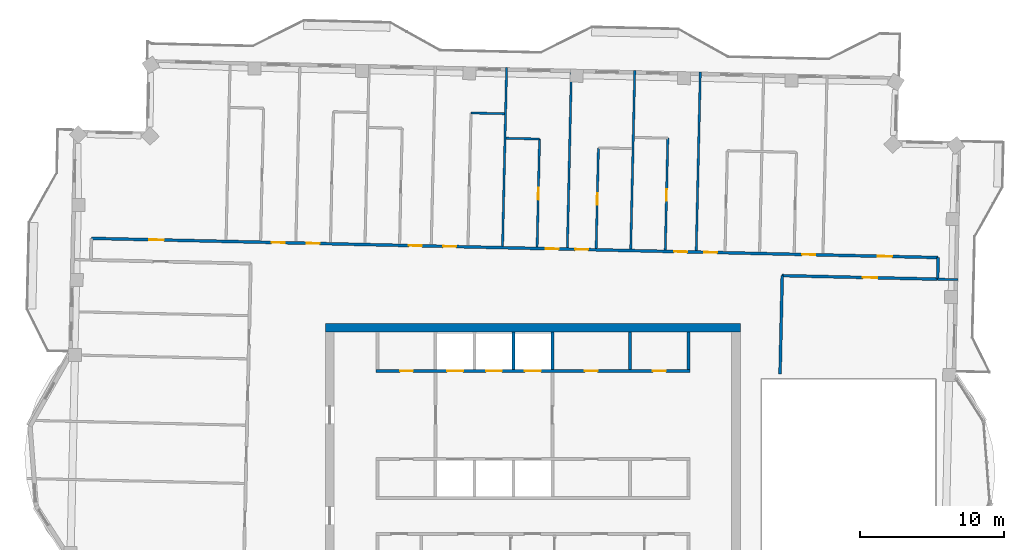
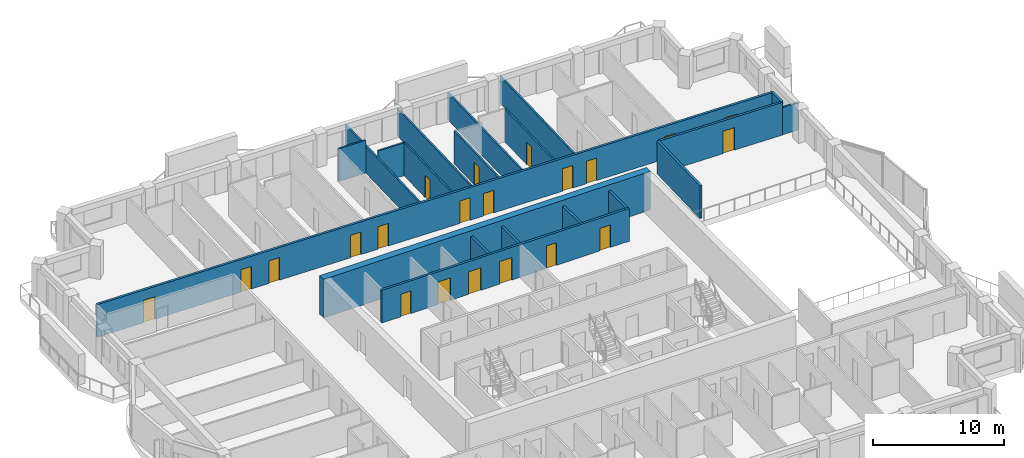
# One storey, part 9 of 15: 21 doors, 20 walls, 21 openings.
"""IFC4 building model written with IfcOpenShell, lengths in metres."""

from ifc_helpers import new_model, si_unit, direction, frame, frame_2d, origin, place, context, subcontext, project, spatial, rectangle, extrude, material, layer, layer_set, type_object, element, fill, save


model = new_model("IFC4")

# Units and contexts
model_context = context("Model", 3, precision=1e-05, world=origin(), true_north=direction((0.0, 1.0)))
body_context = subcontext(model_context, "Body", "Model", "MODEL_VIEW")
ifc_project = project(units=[si_unit("LENGTHUNIT", "METRE"), si_unit("AREAUNIT", "SQUARE_METRE"), si_unit("VOLUMEUNIT", "CUBIC_METRE"), si_unit("PLANEANGLEUNIT", "RADIAN"), si_unit("MASSUNIT", "GRAM", prefix="KILO")], contexts=[model_context])

# Site, building, storey
site_placement = place(None, origin())
site = spatial("IfcSite", under=ifc_project, at=site_placement, CompositionType="ELEMENT")
building_placement = place(site_placement, origin())
building = spatial("IfcBuilding", under=site, at=building_placement, Name="Mangrove Gate Tower", CompositionType="ELEMENT")
storey_placement = place(building_placement, frame((0.0, 0.0, 313.300048828125)))
storey = spatial("IfcBuildingStorey", under=building, at=storey_placement, Name="L80", CompositionType="ELEMENT", Elevation=313.300048828125)

# Walls
ifc_material_1 = material(Name="Concrete C32/40", Category="concrete")
ifc_layer_1 = layer(ifc_material_1, 0.199951171875)
ifc_layer_set_1 = layer_set([ifc_layer_1], Name="Core room wall 200 C32/40")
wall_type_1 = type_object("IfcWallType", Name="Core room wall 200 C32/40", PredefinedType="STANDARD", material=ifc_layer_set_1)
for number, where, z_axis, x_axis, name in (
    (1, (6.75, 8.199951171875, 0.0), (0.0, 0.0, 1.0), (0.0, 1.0, 0.0), "WALL-L80-CORE-31"),
    (2, (10.800048828125, 8.199951171875, 0.0), (0.0, 0.0, 1.0), (0.0, 1.0, 0.0), "WALL-L80-CORE-32"),
):
    element("IfcWall", number, at=place(storey_placement, frame(where, z_axis=z_axis, x_axis=x_axis)), inside=storey, type_object=wall_type_1, Name=name, PredefinedType="STANDARD", context=body_context, shape_type="SweptSolid", body=[
        extrude(rectangle(XDim=2.60009765625, YDim=0.199951171875, at=frame_2d((1.300048828125, 0.0))), origin(), (0.0, 0.0, 1.0), 3.050048828125),
    ])

# Wall, openings, doors
ifc_material_2 = material(Name="Concrete C50/60", Category="concrete")
ifc_layer_2 = layer(ifc_material_2, 0.199951171875)
ifc_layer_set_2 = layer_set([ifc_layer_2], Name="Core shaft wall 200 C50/60")
wall_type_2 = type_object("IfcWallType", Name="Core shaft wall 200 C50/60", PredefinedType="SHEAR", material=ifc_layer_set_2)
wall_1_placement = place(storey_placement, frame((-10.89990234375, 8.10009765625, 0.0), z_axis=(0.0, 0.0, 1.0), x_axis=(1.0, 0.0, 0.0)))
wall_1 = element("IfcWall", 3, at=wall_1_placement, inside=storey, type_object=wall_type_2, Name="WALL-L80-CORE-8", PredefinedType="SHEAR", context=body_context, shape_type="SweptSolid", body=[
    extrude(rectangle(XDim=21.7998046875, YDim=0.199951171875, at=frame_2d((10.89990234375, 0.0))), origin(), (0.0, 0.0, 1.0), 3.050048828125),
])
opening_1_placement = place(wall_1_placement, frame((4.949951171875, 0.0, 0.0)))
opening_1 = element("IfcOpeningElement", 4, at=opening_1_placement, cuts=wall_1, Name="Opening LD", PredefinedType="OPENING", context=body_context, shape_type="SweptSolid", body=[
    extrude(rectangle(XDim=1.10009765625, YDim=2.10009765625, at=frame_2d((0.550048828125, 1.050048828125))), frame((0.0, 0.10986328125, 0.0), z_axis=(0.0, -1.0, 0.0), x_axis=(1.0, 0.0, 0.0)), (0.0, 0.0, 1.0), 0.219970703125),
])
opening_2_placement = place(wall_1_placement, frame((7.64990234375, 0.0, 0.0)))
opening_2 = element("IfcOpeningElement", 5, at=opening_2_placement, cuts=wall_1, Name="Opening LD", PredefinedType="OPENING", context=body_context, shape_type="SweptSolid", body=[
    extrude(rectangle(XDim=1.10009765625, YDim=2.10009765625, at=frame_2d((0.550048828125, 1.050048828125))), frame((0.0, 0.10986328125, 0.0), z_axis=(0.0, -1.0, 0.0), x_axis=(1.0, 0.0, 0.0)), (0.0, 0.0, 1.0), 0.219970703125),
])
opening_3_placement = place(wall_1_placement, frame((10.35009765625, 0.0, 0.0)))
opening_3 = element("IfcOpeningElement", 6, at=opening_3_placement, cuts=wall_1, Name="Opening LD", PredefinedType="OPENING", context=body_context, shape_type="SweptSolid", body=[
    extrude(rectangle(XDim=1.10009765625, YDim=2.10009765625, at=frame_2d((0.550048828125, 1.050048828125))), frame((0.0, 0.10986328125, 0.0), z_axis=(0.0, -1.0, 0.0), x_axis=(1.0, 0.0, 0.0)), (0.0, 0.0, 1.0), 0.219970703125),
])
opening_4_placement = place(wall_1_placement, frame((1.675048828125, 0.0, 0.0)))
opening_4 = element("IfcOpeningElement", 7, at=opening_4_placement, cuts=wall_1, Name="Opening KD", PredefinedType="OPENING", context=body_context, shape_type="SweptSolid", body=[
    extrude(rectangle(XDim=0.89990234375, YDim=2.10009765625, at=frame_2d((0.449951171875, 1.050048828125))), frame((0.0, 0.10986328125, 0.0), z_axis=(0.0, -1.0, 0.0), x_axis=(1.0, 0.0, 0.0)), (0.0, 0.0, 1.0), 0.219970703125),
])
opening_5_placement = place(wall_1_placement, frame((14.5, 0.0, 0.0)))
opening_5 = element("IfcOpeningElement", 8, at=opening_5_placement, cuts=wall_1, Name="Opening RD", PredefinedType="OPENING", context=body_context, shape_type="SweptSolid", body=[
    extrude(rectangle(XDim=0.89990234375, YDim=2.10009765625, at=frame_2d((0.449951171875, 1.050048828125))), frame((0.0, 0.10986328125, 0.0), z_axis=(0.0, -1.0, 0.0), x_axis=(1.0, 0.0, 0.0)), (0.0, 0.0, 1.0), 0.219970703125),
])
opening_6_placement = place(wall_1_placement, frame((19.22509765625, 0.0, 0.0)))
opening_6 = element("IfcOpeningElement", 9, at=opening_6_placement, cuts=wall_1, Name="Opening RD", PredefinedType="OPENING", context=body_context, shape_type="SweptSolid", body=[
    extrude(rectangle(XDim=0.89990234375, YDim=2.10009765625, at=frame_2d((0.449951171875, 1.050048828125))), frame((0.0, 0.10986328125, 0.0), z_axis=(0.0, -1.0, 0.0), x_axis=(1.0, 0.0, 0.0)), (0.0, 0.0, 1.0), 0.219970703125),
])
ifc_material_3 = material(Name="Fire-rated steel door set", Category="steel")
door_type_1 = type_object("IfcDoorType", Name="Core room door FD30S 900x2100", OperationType="SINGLE_SWING_RIGHT", PredefinedType="DOOR", material=ifc_material_3)
door_1_placement = place(opening_4_placement, origin())
door_1 = element("IfcDoor", 10, at=door_1_placement, inside=storey, type_object=door_type_1, Name="Core room door Linen store", OperationType="SINGLE_SWING_RIGHT", OverallHeight=2.10009765625, OverallWidth=0.89990234375, PredefinedType="DOOR", context=body_context, shape_type="SweptSolid", body=[
    extrude(rectangle(XDim=0.89990234375, YDim=2.10009765625, at=frame_2d((0.449951171875, 1.050048828125))), frame((0.0, 0.02490234375, 0.0), z_axis=(0.0, -1.0, 0.0), x_axis=(1.0, 0.0, 0.0)), (0.0, 0.0, 1.0), 0.050048828125),
])
fill(opening_4, door_1)
ifc_material_4 = material(Name="Stainless steel 316", Category="steel")
door_type_2 = type_object("IfcDoorType", Name="Lift landing door 1100x2100", OperationType="SLIDING_TO_LEFT", PredefinedType="DOOR", material=ifc_material_4)
door_2_placement = place(opening_1_placement, origin())
door_2 = element("IfcDoor", 11, at=door_2_placement, inside=storey, type_object=door_type_2, Name="Landing door LD H04", OperationType="SLIDING_TO_LEFT", OverallHeight=2.10009765625, OverallWidth=1.10009765625, PredefinedType="DOOR", context=body_context, shape_type="SweptSolid", body=[
    extrude(rectangle(XDim=1.10009765625, YDim=2.10009765625, at=frame_2d((0.550048828125, 1.050048828125))), frame((0.0, 0.02490234375, 0.0), z_axis=(0.0, -1.0, 0.0), x_axis=(1.0, 0.0, 0.0)), (0.0, 0.0, 1.0), 0.050048828125),
])
fill(opening_1, door_2)
door_3_placement = place(opening_2_placement, origin())
door_3 = element("IfcDoor", 12, at=door_3_placement, inside=storey, type_object=door_type_2, Name="Landing door LD H05", OperationType="SLIDING_TO_LEFT", OverallHeight=2.10009765625, OverallWidth=1.10009765625, PredefinedType="DOOR", context=body_context, shape_type="SweptSolid", body=[
    extrude(rectangle(XDim=1.10009765625, YDim=2.10009765625, at=frame_2d((0.550048828125, 1.050048828125))), frame((0.0, 0.02490234375, 0.0), z_axis=(0.0, -1.0, 0.0), x_axis=(1.0, 0.0, 0.0)), (0.0, 0.0, 1.0), 0.050048828125),
])
fill(opening_2, door_3)
door_4_placement = place(opening_3_placement, origin())
door_4 = element("IfcDoor", 13, at=door_4_placement, inside=storey, type_object=door_type_2, Name="Landing door LD H06", OperationType="SLIDING_TO_LEFT", OverallHeight=2.10009765625, OverallWidth=1.10009765625, PredefinedType="DOOR", context=body_context, shape_type="SweptSolid", body=[
    extrude(rectangle(XDim=1.10009765625, YDim=2.10009765625, at=frame_2d((0.550048828125, 1.050048828125))), frame((0.0, 0.02490234375, 0.0), z_axis=(0.0, -1.0, 0.0), x_axis=(1.0, 0.0, 0.0)), (0.0, 0.0, 1.0), 0.050048828125),
])
fill(opening_3, door_4)
ifc_material_5 = material(Name="Fire-rated steel door set", Category="steel")
door_type_3 = type_object("IfcDoorType", Name="Riser door FD30S 900x2100", OperationType="SINGLE_SWING_LEFT", PredefinedType="DOOR", material=ifc_material_5)
door_5_placement = place(opening_5_placement, origin())
door_5 = element("IfcDoor", 14, at=door_5_placement, inside=storey, type_object=door_type_3, Name="Riser door Switch room", OperationType="SINGLE_SWING_LEFT", OverallHeight=2.10009765625, OverallWidth=0.89990234375, PredefinedType="DOOR", context=body_context, shape_type="SweptSolid", body=[
    extrude(rectangle(XDim=0.89990234375, YDim=2.10009765625, at=frame_2d((0.449951171875, 1.050048828125))), frame((0.0, 0.02490234375, 0.0), z_axis=(0.0, -1.0, 0.0), x_axis=(1.0, 0.0, 0.0)), (0.0, 0.0, 1.0), 0.050048828125),
])
fill(opening_5, door_5)
door_6_placement = place(opening_6_placement, origin())
door_6 = element("IfcDoor", 15, at=door_6_placement, inside=storey, type_object=door_type_3, Name="Riser door Comms room", OperationType="SINGLE_SWING_LEFT", OverallHeight=2.10009765625, OverallWidth=0.89990234375, PredefinedType="DOOR", context=body_context, shape_type="SweptSolid", body=[
    extrude(rectangle(XDim=0.89990234375, YDim=2.10009765625, at=frame_2d((0.449951171875, 1.050048828125))), frame((0.0, 0.02490234375, 0.0), z_axis=(0.0, -1.0, 0.0), x_axis=(1.0, 0.0, 0.0)), (0.0, 0.0, 1.0), 0.050048828125),
])
fill(opening_6, door_6)

# Walls
for number, where, z_axis, x_axis, name in (
    (16, (-1.35009765625, 8.199951171875, 0.0), (0.0, 0.0, 1.0), (0.0, 1.0, 0.0), "WALL-L80-CORE-29"),
    (17, (1.35009765625, 8.199951171875, 0.0), (0.0, 0.0, 1.0), (0.0, 1.0, 0.0), "WALL-L80-CORE-30"),
):
    element("IfcWall", number, at=place(storey_placement, frame(where, z_axis=z_axis, x_axis=x_axis)), inside=storey, type_object=wall_type_2, Name=name, PredefinedType="SHEAR", context=body_context, shape_type="SweptSolid", body=[
        extrude(rectangle(XDim=2.60009765625, YDim=0.199951171875, at=frame_2d((1.300048828125, 0.0))), origin(), (0.0, 0.0, 1.0), 3.050048828125),
    ])
ifc_material_6 = material(Name="Concrete C50/60", Category="concrete")
ifc_layer_3 = layer(ifc_material_6, 0.60009765625)
ifc_layer_set_3 = layer_set([ifc_layer_3], Name="Core wall 600 C50/60")
wall_type_3 = type_object("IfcWallType", Name="Core wall 600 C50/60", PredefinedType="SHEAR", material=ifc_layer_set_3)
wall_2_placement = place(storey_placement, frame((-14.39990234375, 11.10009765625, 0.0), z_axis=(0.0, 0.0, 1.0), x_axis=(1.0, 0.0, 0.0)))
element("IfcWall", 18, at=wall_2_placement, inside=storey, type_object=wall_type_3, Name="WALL-L80-CORE-2", PredefinedType="SHEAR", context=body_context, shape_type="SweptSolid", body=[
    extrude(rectangle(XDim=28.7998046875, YDim=0.60009765625, at=frame_2d((14.39990234375, 0.0))), origin(), (0.0, 0.0, 1.0), 3.599853515625),
])
ifc_material_7 = material(Name="Gypsum board on steel stud, EI 60", Category="steel")
ifc_layer_4 = layer(ifc_material_7, 0.199951171875)
ifc_layer_set_4 = layer_set([ifc_layer_4], Name="Corridor wall EI 60")
wall_type_4 = type_object("IfcWallType", Name="Corridor wall EI 60", PredefinedType="PARTITIONING", material=ifc_layer_set_4)
wall_3_placement = place(storey_placement, frame((17.156982421875, 7.89794921875, 0.0), z_axis=(0.0, 0.0, 1.0), x_axis=(0.022562209343, 0.999745440955, 0.0)))
element("IfcWall", 19, at=wall_3_placement, inside=storey, type_object=wall_type_4, Name="WALL-L80-049", PredefinedType="PARTITIONING", context=body_context, shape_type="SweptSolid", body=[
    extrude(rectangle(XDim=6.827880859375, YDim=0.199951171875, at=frame_2d((3.4140625, 0.0))), origin(), (0.0, 0.0, 1.0), 3.050048828125),
])

# Wall, opening, door
wall_4_placement = place(storey_placement, frame((17.305908203125, 14.72412109375, 0.0), z_axis=(0.0, 0.0, 1.0), x_axis=(0.999744269809, -0.022614043969, 0.0)))
wall_4 = element("IfcWall", 20, at=wall_4_placement, inside=storey, type_object=wall_type_4, Name="WALL-L80-055", PredefinedType="PARTITIONING", context=body_context, shape_type="SweptSolid", body=[
    extrude(rectangle(XDim=10.7958984375, YDim=0.199951171875, at=frame_2d((5.39794921875, 0.0))), origin(), (0.0, 0.0, 1.0), 3.050048828125),
])
opening_7_placement = place(wall_4_placement, frame((5.597900390625, 0.0, 0.0)))
opening_7 = element("IfcOpeningElement", 21, at=opening_7_placement, cuts=wall_4, Name="Opening AD", PredefinedType="OPENING", context=body_context, shape_type="SweptSolid", body=[
    extrude(rectangle(XDim=1.0, YDim=2.10009765625, at=frame_2d((0.5, 1.050048828125))), frame((0.0, 0.10986328125, 0.0), z_axis=(0.0, -1.0, 0.0), x_axis=(1.0, 0.0, 0.0)), (0.0, 0.0, 1.0), 0.219970703125),
])
ifc_material_8 = material(Name="Timber door leaf", Category="wood")
door_type_4 = type_object("IfcDoorType", Name="Amenity door 1000", OperationType="SINGLE_SWING_LEFT", PredefinedType="DOOR", material=ifc_material_8)
door_7_placement = place(opening_7_placement, origin())
door_7 = element("IfcDoor", 22, at=door_7_placement, inside=storey, type_object=door_type_4, Name="DOOR-L80-GAM-c3a", OperationType="SINGLE_SWING_RIGHT", OverallHeight=2.10009765625, OverallWidth=1.0, PredefinedType="DOOR", context=body_context, shape_type="SweptSolid", body=[
    extrude(rectangle(XDim=1.0, YDim=2.10009765625, at=frame_2d((0.5, 1.050048828125))), frame((0.0, 0.02490234375, 0.0), z_axis=(0.0, -1.0, 0.0), x_axis=(1.0, 0.0, 0.0)), (0.0, 0.0, 1.0), 0.050048828125),
])
fill(opening_7, door_7)

# Wall
wall_5_placement = place(storey_placement, frame((28.09912109375, 14.47998046875, 0.0), z_axis=(0.0, 0.0, 1.0), x_axis=(0.022632637625, 0.99974384905, 0.0)))
element("IfcWall", 23, at=wall_5_placement, inside=storey, type_object=wall_type_4, Name="WALL-L80-057", PredefinedType="PARTITIONING", context=body_context, shape_type="SweptSolid", body=[
    extrude(rectangle(XDim=1.49951171875, YDim=0.199951171875, at=frame_2d((0.749755859375, 0.0))), origin(), (0.0, 0.0, 1.0), 3.050048828125),
])

# Wall, openings, doors
wall_6_placement = place(storey_placement, frame((-30.652099609375, 17.31298828125, 0.0), z_axis=(0.0, 0.0, 1.0), x_axis=(0.999742623764, -0.02268669719, 0.0)))
wall_6 = element("IfcWall", 24, at=wall_6_placement, inside=storey, type_object=wall_type_4, Name="WALL-L80-058", PredefinedType="PARTITIONING", context=body_context, shape_type="SweptSolid", body=[
    extrude(rectangle(XDim=58.80029296875, YDim=0.199951171875, at=frame_2d((29.400146484375, 0.0))), origin(), (0.0, 0.0, 1.0), 3.050048828125),
])
opening_8_placement = place(wall_6_placement, frame((54.60107421875, 0.0, 0.0)))
opening_8 = element("IfcOpeningElement", 25, at=opening_8_placement, cuts=wall_6, Name="Opening AD", PredefinedType="OPENING", context=body_context, shape_type="SweptSolid", body=[
    extrude(rectangle(XDim=1.0, YDim=2.10009765625, at=frame_2d((0.5, 1.050048828125))), frame((0.0, 0.10986328125, 0.0), z_axis=(0.0, -1.0, 0.0), x_axis=(1.0, 0.0, 0.0)), (0.0, 0.0, 1.0), 0.219970703125),
])
opening_9_placement = place(wall_6_placement, frame((49.35009765625, 0.0, 0.0)))
opening_9 = element("IfcOpeningElement", 26, at=opening_9_placement, cuts=wall_6, Name="Opening BD", PredefinedType="OPENING", context=body_context, shape_type="SweptSolid", body=[
    extrude(rectangle(XDim=0.89990234375, YDim=2.10009765625, at=frame_2d((0.449951171875, 1.050048828125))), frame((0.0, 0.10986328125, 0.0), z_axis=(0.0, -1.0, 0.0), x_axis=(1.0, 0.0, 0.0)), (0.0, 0.0, 1.0), 0.219970703125),
])
opening_10_placement = place(wall_6_placement, frame((42.550048828125, 0.0, 0.0)))
opening_10 = element("IfcOpeningElement", 27, at=opening_10_placement, cuts=wall_6, Name="Opening BD", PredefinedType="OPENING", context=body_context, shape_type="SweptSolid", body=[
    extrude(rectangle(XDim=0.89990234375, YDim=2.10009765625, at=frame_2d((0.449951171875, 1.050048828125))), frame((0.0, 0.10986328125, 0.0), z_axis=(0.0, -1.0, 0.0), x_axis=(1.0, 0.0, 0.0)), (0.0, 0.0, 1.0), 0.219970703125),
])
opening_11_placement = place(wall_6_placement, frame((40.47509765625, 0.0, 0.0)))
opening_11 = element("IfcOpeningElement", 28, at=opening_11_placement, cuts=wall_6, Name="Opening BD", PredefinedType="OPENING", context=body_context, shape_type="SweptSolid", body=[
    extrude(rectangle(XDim=0.89990234375, YDim=2.10009765625, at=frame_2d((0.449951171875, 1.050048828125))), frame((0.0, 0.10986328125, 0.0), z_axis=(0.0, -1.0, 0.0), x_axis=(1.0, 0.0, 0.0)), (0.0, 0.0, 1.0), 0.219970703125),
])
opening_12_placement = place(wall_6_placement, frame((33.60009765625, 0.0, 0.0)))
opening_12 = element("IfcOpeningElement", 29, at=opening_12_placement, cuts=wall_6, Name="Opening BD", PredefinedType="OPENING", context=body_context, shape_type="SweptSolid", body=[
    extrude(rectangle(XDim=0.89990234375, YDim=2.10009765625, at=frame_2d((0.449951171875, 1.050048828125))), frame((0.0, 0.10986328125, 0.0), z_axis=(0.0, -1.0, 0.0), x_axis=(1.0, 0.0, 0.0)), (0.0, 0.0, 1.0), 0.219970703125),
])
opening_13_placement = place(wall_6_placement, frame((31.550048828125, 0.0, 0.0)))
opening_13 = element("IfcOpeningElement", 30, at=opening_13_placement, cuts=wall_6, Name="Opening BD", PredefinedType="OPENING", context=body_context, shape_type="SweptSolid", body=[
    extrude(rectangle(XDim=0.89990234375, YDim=2.10009765625, at=frame_2d((0.449951171875, 1.050048828125))), frame((0.0, 0.10986328125, 0.0), z_axis=(0.0, -1.0, 0.0), x_axis=(1.0, 0.0, 0.0)), (0.0, 0.0, 1.0), 0.219970703125),
])
opening_14_placement = place(wall_6_placement, frame((24.425048828125, 0.0, 0.0)))
opening_14 = element("IfcOpeningElement", 31, at=opening_14_placement, cuts=wall_6, Name="Opening BD", PredefinedType="OPENING", context=body_context, shape_type="SweptSolid", body=[
    extrude(rectangle(XDim=0.89990234375, YDim=2.10009765625, at=frame_2d((0.449951171875, 1.050048828125))), frame((0.0, 0.10986328125, 0.0), z_axis=(0.0, -1.0, 0.0), x_axis=(1.0, 0.0, 0.0)), (0.0, 0.0, 1.0), 0.219970703125),
])
opening_15_placement = place(wall_6_placement, frame((22.050048828125, 0.0, 0.0)))
opening_15 = element("IfcOpeningElement", 32, at=opening_15_placement, cuts=wall_6, Name="Opening BD", PredefinedType="OPENING", context=body_context, shape_type="SweptSolid", body=[
    extrude(rectangle(XDim=0.89990234375, YDim=2.10009765625, at=frame_2d((0.449951171875, 1.050048828125))), frame((0.0, 0.10986328125, 0.0), z_axis=(0.0, -1.0, 0.0), x_axis=(1.0, 0.0, 0.0)), (0.0, 0.0, 1.0), 0.219970703125),
])
opening_16_placement = place(wall_6_placement, frame((14.949951171875, 0.0, 0.0)))
opening_16 = element("IfcOpeningElement", 33, at=opening_16_placement, cuts=wall_6, Name="Opening BD", PredefinedType="OPENING", context=body_context, shape_type="SweptSolid", body=[
    extrude(rectangle(XDim=0.89990234375, YDim=2.10009765625, at=frame_2d((0.449951171875, 1.050048828125))), frame((0.0, 0.10986328125, 0.0), z_axis=(0.0, -1.0, 0.0), x_axis=(1.0, 0.0, 0.0)), (0.0, 0.0, 1.0), 0.219970703125),
])
opening_17_placement = place(wall_6_placement, frame((12.52490234375, 0.0, 0.0)))
opening_17 = element("IfcOpeningElement", 34, at=opening_17_placement, cuts=wall_6, Name="Opening BD", PredefinedType="OPENING", context=body_context, shape_type="SweptSolid", body=[
    extrude(rectangle(XDim=0.89990234375, YDim=2.10009765625, at=frame_2d((0.449951171875, 1.050048828125))), frame((0.0, 0.10986328125, 0.0), z_axis=(0.0, -1.0, 0.0), x_axis=(1.0, 0.0, 0.0)), (0.0, 0.0, 1.0), 0.219970703125),
])
opening_18_placement = place(wall_6_placement, frame((4.031982421875, 0.0, 0.0)))
opening_18 = element("IfcOpeningElement", 35, at=opening_18_placement, cuts=wall_6, Name="Opening AD", PredefinedType="OPENING", context=body_context, shape_type="SweptSolid", body=[
    extrude(rectangle(XDim=1.0, YDim=2.10009765625, at=frame_2d((0.5, 1.050048828125))), frame((0.0, 0.10986328125, 0.0), z_axis=(0.0, -1.0, 0.0), x_axis=(1.0, 0.0, 0.0)), (0.0, 0.0, 1.0), 0.219970703125),
])
door_8_placement = place(opening_8_placement, origin())
door_8 = element("IfcDoor", 36, at=door_8_placement, inside=storey, type_object=door_type_4, Name="DOOR-L80-KIT-c3a", OperationType="SINGLE_SWING_LEFT", OverallHeight=2.10009765625, OverallWidth=1.0, PredefinedType="DOOR", context=body_context, shape_type="SweptSolid", body=[
    extrude(rectangle(XDim=1.0, YDim=2.10009765625, at=frame_2d((0.5, 1.050048828125))), frame((0.0, 0.02490234375, 0.0), z_axis=(0.0, -1.0, 0.0), x_axis=(1.0, 0.0, 0.0)), (0.0, 0.0, 1.0), 0.050048828125),
])
fill(opening_8, door_8)
door_9_placement = place(opening_18_placement, origin())
door_9 = element("IfcDoor", 37, at=door_9_placement, inside=storey, type_object=door_type_4, Name="DOOR-L80-KIT-c5a", OperationType="SINGLE_SWING_RIGHT", OverallHeight=2.10009765625, OverallWidth=1.0, PredefinedType="DOOR", context=body_context, shape_type="SweptSolid", body=[
    extrude(rectangle(XDim=1.0, YDim=2.10009765625, at=frame_2d((0.5, 1.050048828125))), frame((0.0, 0.02490234375, 0.0), z_axis=(0.0, -1.0, 0.0), x_axis=(1.0, 0.0, 0.0)), (0.0, 0.0, 1.0), 0.050048828125),
])
fill(opening_18, door_9)
ifc_material_9 = material(Name="Timber door leaf", Category="wood")
door_type_5 = type_object("IfcDoorType", Name="Bedroom door 900", OperationType="SINGLE_SWING_LEFT", PredefinedType="DOOR", material=ifc_material_9)
door_10_placement = place(opening_9_placement, origin())
door_10 = element("IfcDoor", 38, at=door_10_placement, inside=storey, type_object=door_type_5, Name="DOOR-L80-BED-c311", OperationType="SINGLE_SWING_LEFT", OverallHeight=2.10009765625, OverallWidth=0.89990234375, PredefinedType="DOOR", context=body_context, shape_type="SweptSolid", body=[
    extrude(rectangle(XDim=0.89990234375, YDim=2.10009765625, at=frame_2d((0.449951171875, 1.050048828125))), frame((0.0, 0.02490234375, 0.0), z_axis=(0.0, -1.0, 0.0), x_axis=(1.0, 0.0, 0.0)), (0.0, 0.0, 1.0), 0.050048828125),
])
fill(opening_9, door_10)
door_11_placement = place(opening_10_placement, origin())
door_11 = element("IfcDoor", 39, at=door_11_placement, inside=storey, type_object=door_type_5, Name="DOOR-L80-BED-c312", OperationType="SINGLE_SWING_RIGHT", OverallHeight=2.10009765625, OverallWidth=0.89990234375, PredefinedType="DOOR", context=body_context, shape_type="SweptSolid", body=[
    extrude(rectangle(XDim=0.89990234375, YDim=2.10009765625, at=frame_2d((0.449951171875, 1.050048828125))), frame((0.0, 0.02490234375, 0.0), z_axis=(0.0, -1.0, 0.0), x_axis=(1.0, 0.0, 0.0)), (0.0, 0.0, 1.0), 0.050048828125),
])
fill(opening_10, door_11)
door_12_placement = place(opening_11_placement, origin())
door_12 = element("IfcDoor", 40, at=door_12_placement, inside=storey, type_object=door_type_5, Name="DOOR-L80-BED-c413", OperationType="SINGLE_SWING_LEFT", OverallHeight=2.10009765625, OverallWidth=0.89990234375, PredefinedType="DOOR", context=body_context, shape_type="SweptSolid", body=[
    extrude(rectangle(XDim=0.89990234375, YDim=2.10009765625, at=frame_2d((0.449951171875, 1.050048828125))), frame((0.0, 0.02490234375, 0.0), z_axis=(0.0, -1.0, 0.0), x_axis=(1.0, 0.0, 0.0)), (0.0, 0.0, 1.0), 0.050048828125),
])
fill(opening_11, door_12)
door_13_placement = place(opening_12_placement, origin())
door_13 = element("IfcDoor", 41, at=door_13_placement, inside=storey, type_object=door_type_5, Name="DOOR-L80-BED-c414", OperationType="SINGLE_SWING_RIGHT", OverallHeight=2.10009765625, OverallWidth=0.89990234375, PredefinedType="DOOR", context=body_context, shape_type="SweptSolid", body=[
    extrude(rectangle(XDim=0.89990234375, YDim=2.10009765625, at=frame_2d((0.449951171875, 1.050048828125))), frame((0.0, 0.02490234375, 0.0), z_axis=(0.0, -1.0, 0.0), x_axis=(1.0, 0.0, 0.0)), (0.0, 0.0, 1.0), 0.050048828125),
])
fill(opening_12, door_13)
door_14_placement = place(opening_13_placement, origin())
door_14 = element("IfcDoor", 42, at=door_14_placement, inside=storey, type_object=door_type_5, Name="DOOR-L80-BED-c415", OperationType="SINGLE_SWING_LEFT", OverallHeight=2.10009765625, OverallWidth=0.89990234375, PredefinedType="DOOR", context=body_context, shape_type="SweptSolid", body=[
    extrude(rectangle(XDim=0.89990234375, YDim=2.10009765625, at=frame_2d((0.449951171875, 1.050048828125))), frame((0.0, 0.02490234375, 0.0), z_axis=(0.0, -1.0, 0.0), x_axis=(1.0, 0.0, 0.0)), (0.0, 0.0, 1.0), 0.050048828125),
])
fill(opening_13, door_14)
door_15_placement = place(opening_14_placement, origin())
door_15 = element("IfcDoor", 43, at=door_15_placement, inside=storey, type_object=door_type_5, Name="DOOR-L80-BED-c416", OperationType="SINGLE_SWING_RIGHT", OverallHeight=2.10009765625, OverallWidth=0.89990234375, PredefinedType="DOOR", context=body_context, shape_type="SweptSolid", body=[
    extrude(rectangle(XDim=0.89990234375, YDim=2.10009765625, at=frame_2d((0.449951171875, 1.050048828125))), frame((0.0, 0.02490234375, 0.0), z_axis=(0.0, -1.0, 0.0), x_axis=(1.0, 0.0, 0.0)), (0.0, 0.0, 1.0), 0.050048828125),
])
fill(opening_14, door_15)
door_16_placement = place(opening_15_placement, origin())
door_16 = element("IfcDoor", 44, at=door_16_placement, inside=storey, type_object=door_type_5, Name="DOOR-L80-BED-c517", OperationType="SINGLE_SWING_LEFT", OverallHeight=2.10009765625, OverallWidth=0.89990234375, PredefinedType="DOOR", context=body_context, shape_type="SweptSolid", body=[
    extrude(rectangle(XDim=0.89990234375, YDim=2.10009765625, at=frame_2d((0.449951171875, 1.050048828125))), frame((0.0, 0.02490234375, 0.0), z_axis=(0.0, -1.0, 0.0), x_axis=(1.0, 0.0, 0.0)), (0.0, 0.0, 1.0), 0.050048828125),
])
fill(opening_15, door_16)
door_17_placement = place(opening_16_placement, origin())
door_17 = element("IfcDoor", 45, at=door_17_placement, inside=storey, type_object=door_type_5, Name="DOOR-L80-BED-c518", OperationType="SINGLE_SWING_RIGHT", OverallHeight=2.10009765625, OverallWidth=0.89990234375, PredefinedType="DOOR", context=body_context, shape_type="SweptSolid", body=[
    extrude(rectangle(XDim=0.89990234375, YDim=2.10009765625, at=frame_2d((0.449951171875, 1.050048828125))), frame((0.0, 0.02490234375, 0.0), z_axis=(0.0, -1.0, 0.0), x_axis=(1.0, 0.0, 0.0)), (0.0, 0.0, 1.0), 0.050048828125),
])
fill(opening_16, door_17)
door_18_placement = place(opening_17_placement, origin())
door_18 = element("IfcDoor", 46, at=door_18_placement, inside=storey, type_object=door_type_5, Name="DOOR-L80-BED-c519", OperationType="SINGLE_SWING_LEFT", OverallHeight=2.10009765625, OverallWidth=0.89990234375, PredefinedType="DOOR", context=body_context, shape_type="SweptSolid", body=[
    extrude(rectangle(XDim=0.89990234375, YDim=2.10009765625, at=frame_2d((0.449951171875, 1.050048828125))), frame((0.0, 0.02490234375, 0.0), z_axis=(0.0, -1.0, 0.0), x_axis=(1.0, 0.0, 0.0)), (0.0, 0.0, 1.0), 0.050048828125),
])
fill(opening_17, door_18)

# Walls
ifc_material_10 = material(Name="Gypsum board on steel stud, EI 60", Category="steel")
ifc_layer_5 = layer(ifc_material_10, 0.14990234375)
ifc_layer_set_5 = layer_set([ifc_layer_5], Name="Party wall 150 EI 60")
wall_type_5 = type_object("IfcWallType", Name="Party wall 150 EI 60", PredefinedType="PARTITIONING", material=ifc_layer_set_5)
wall_7_placement = place(storey_placement, frame((28.09912109375, 14.47998046875, 0.0), z_axis=(0.0, 0.0, 1.0), x_axis=(0.999738763928, -0.022856156732, 0.0)))
element("IfcWall", 47, at=wall_7_placement, inside=storey, type_object=wall_type_5, Name="WALL-L80-056", PredefinedType="PARTITIONING", context=body_context, shape_type="SweptSolid", body=[
    extrude(rectangle(XDim=1.399169921875, YDim=0.14990234375, at=frame_2d((0.69970703125, 0.0))), origin(), (0.0, 0.0, 1.0), 2.550048828125),
])
wall_8_placement = place(storey_placement, frame((-2.10693359375, 16.764892578125, 0.0), z_axis=(0.0, 0.0, 1.0), x_axis=(0.022661029756, 0.999743205894, 0.0)))
element("IfcWall", 48, at=wall_8_placement, inside=storey, type_object=wall_type_5, Name="WALL-L80-067", PredefinedType="PARTITIONING", context=body_context, shape_type="SweptSolid", body=[
    extrude(rectangle(XDim=12.400390625, YDim=0.14990234375, at=frame_2d((6.2001953125, 0.0))), origin(), (0.0, 0.0, 1.0), 2.5),
])

# Wall, opening, door
wall_9_placement = place(storey_placement, frame((0.2919921875, 16.7109375, 0.0), z_axis=(0.0, 0.0, 1.0), x_axis=(0.022656334507, 0.999743312309, 0.0)))
wall_9 = element("IfcWall", 49, at=wall_9_placement, inside=storey, type_object=wall_type_5, Name="WALL-L80-068", PredefinedType="PARTITIONING", context=body_context, shape_type="SweptSolid", body=[
    extrude(rectangle(XDim=7.5, YDim=0.14990234375, at=frame_2d((3.75, 0.0))), origin(), (0.0, 0.0, 1.0), 3.050048828125),
])
opening_19_placement = place(wall_9_placement, frame((3.300048828125, 0.0, 0.0)))
opening_19 = element("IfcOpeningElement", 50, at=opening_19_placement, cuts=wall_9, Name="Opening ED", PredefinedType="OPENING", context=body_context, shape_type="SweptSolid", body=[
    extrude(rectangle(XDim=0.800048828125, YDim=2.10009765625, at=frame_2d((0.39990234375, 1.050048828125))), frame((0.0, 0.0849609375, 0.0), z_axis=(0.0, -1.0, 0.0), x_axis=(1.0, 0.0, 0.0)), (0.0, 0.0, 1.0), 0.169921875),
])
ifc_material_11 = material(Name="Timber door leaf", Category="wood")
door_type_6 = type_object("IfcDoorType", Name="En-suite door 800", OperationType="SINGLE_SWING_LEFT", PredefinedType="DOOR", material=ifc_material_11)
door_19_placement = place(opening_19_placement, origin())
door_19 = element("IfcDoor", 51, at=door_19_placement, inside=storey, type_object=door_type_6, Name="DOOR-L80-ENS-c415", OperationType="SINGLE_SWING_LEFT", OverallHeight=2.10009765625, OverallWidth=0.800048828125, PredefinedType="DOOR", context=body_context, shape_type="SweptSolid", body=[
    extrude(rectangle(XDim=0.800048828125, YDim=2.10009765625, at=frame_2d((0.39990234375, 1.050048828125))), frame((0.0, 0.02490234375, 0.0), z_axis=(0.0, -1.0, 0.0), x_axis=(1.0, 0.0, 0.0)), (0.0, 0.0, 1.0), 0.050048828125),
])
fill(opening_19, door_19)

# Wall
wall_10_placement = place(storey_placement, frame((2.39208984375, 16.6630859375, 0.0), z_axis=(0.0, 0.0, 1.0), x_axis=(0.022661475803, 0.999743195783, 0.0)))
element("IfcWall", 52, at=wall_10_placement, inside=storey, type_object=wall_type_5, Name="WALL-L80-069", PredefinedType="PARTITIONING", context=body_context, shape_type="SweptSolid", body=[
    extrude(rectangle(XDim=12.400146484375, YDim=0.14990234375, at=frame_2d((6.2001953125, 0.0))), origin(), (0.0, 0.0, 1.0), 2.5),
])

# Wall, opening, door
wall_11_placement = place(storey_placement, frame((4.39111328125, 16.617919921875, 0.0), z_axis=(0.0, 0.0, 1.0), x_axis=(0.022630826984, 0.999743890039, 0.0)))
wall_11 = element("IfcWall", 53, at=wall_11_placement, inside=storey, type_object=wall_type_5, Name="WALL-L80-070", PredefinedType="PARTITIONING", context=body_context, shape_type="SweptSolid", body=[
    extrude(rectangle(XDim=6.979736328125, YDim=0.14990234375, at=frame_2d((3.48974609375, 0.0))), origin(), (0.0, 0.0, 1.0), 3.050048828125),
])
opening_20_placement = place(wall_11_placement, frame((3.0400390625, 0.0, 0.0)))
opening_20 = element("IfcOpeningElement", 54, at=opening_20_placement, cuts=wall_11, Name="Opening ED", PredefinedType="OPENING", context=body_context, shape_type="SweptSolid", body=[
    extrude(rectangle(XDim=0.800048828125, YDim=2.10009765625, at=frame_2d((0.39990234375, 1.050048828125))), frame((0.0, 0.0849609375, 0.0), z_axis=(0.0, -1.0, 0.0), x_axis=(1.0, 0.0, 0.0)), (0.0, 0.0, 1.0), 0.169921875),
])
door_20_placement = place(opening_20_placement, origin())
door_20 = element("IfcDoor", 55, at=door_20_placement, inside=storey, type_object=door_type_6, Name="DOOR-L80-ENS-c414", OperationType="SINGLE_SWING_RIGHT", OverallHeight=2.10009765625, OverallWidth=0.800048828125, PredefinedType="DOOR", context=body_context, shape_type="SweptSolid", body=[
    extrude(rectangle(XDim=0.800048828125, YDim=2.10009765625, at=frame_2d((0.39990234375, 1.050048828125))), frame((0.0, 0.02490234375, 0.0), z_axis=(0.0, -1.0, 0.0), x_axis=(1.0, 0.0, 0.0)), (0.0, 0.0, 1.0), 0.050048828125),
])
fill(opening_20, door_20)

# Wall
wall_12_placement = place(storey_placement, frame((6.791015625, 16.56298828125, 0.0), z_axis=(0.0, 0.0, 1.0), x_axis=(0.022661475803, 0.999743195783, 0.0)))
element("IfcWall", 56, at=wall_12_placement, inside=storey, type_object=wall_type_5, Name="WALL-L80-071", PredefinedType="PARTITIONING", context=body_context, shape_type="SweptSolid", body=[
    extrude(rectangle(XDim=12.400146484375, YDim=0.14990234375, at=frame_2d((6.2001953125, 0.0))), origin(), (0.0, 0.0, 1.0), 2.5),
])

# Wall, opening, door
wall_13_placement = place(storey_placement, frame((9.18994140625, 16.509033203125, 0.0), z_axis=(0.0, 0.0, 1.0), x_axis=(0.022683528451, 0.999742695666, 0.0)))
wall_13 = element("IfcWall", 57, at=wall_13_placement, inside=storey, type_object=wall_type_5, Name="WALL-L80-072", PredefinedType="PARTITIONING", context=body_context, shape_type="SweptSolid", body=[
    extrude(rectangle(XDim=7.760009765625, YDim=0.14990234375, at=frame_2d((3.8798828125, 0.0))), origin(), (0.0, 0.0, 1.0), 3.050048828125),
])
opening_21_placement = place(wall_13_placement, frame((3.429931640625, 0.0, 0.0)))
opening_21 = element("IfcOpeningElement", 58, at=opening_21_placement, cuts=wall_13, Name="Opening ED", PredefinedType="OPENING", context=body_context, shape_type="SweptSolid", body=[
    extrude(rectangle(XDim=0.800048828125, YDim=2.10009765625, at=frame_2d((0.39990234375, 1.050048828125))), frame((0.0, 0.0849609375, 0.0), z_axis=(0.0, -1.0, 0.0), x_axis=(1.0, 0.0, 0.0)), (0.0, 0.0, 1.0), 0.169921875),
])
door_21_placement = place(opening_21_placement, origin())
door_21 = element("IfcDoor", 59, at=door_21_placement, inside=storey, type_object=door_type_6, Name="DOOR-L80-ENS-c413", OperationType="SINGLE_SWING_LEFT", OverallHeight=2.10009765625, OverallWidth=0.800048828125, PredefinedType="DOOR", context=body_context, shape_type="SweptSolid", body=[
    extrude(rectangle(XDim=0.800048828125, YDim=2.10009765625, at=frame_2d((0.39990234375, 1.050048828125))), frame((0.0, 0.02490234375, 0.0), z_axis=(0.0, -1.0, 0.0), x_axis=(1.0, 0.0, 0.0)), (0.0, 0.0, 1.0), 0.050048828125),
])
fill(opening_21, door_21)

# Walls
wall_14_placement = place(storey_placement, frame((11.339111328125, 16.4599609375, 0.0), z_axis=(0.0, 0.0, 1.0), x_axis=(0.022740189192, 0.999741408463, 0.0)))
element("IfcWall", 60, at=wall_14_placement, inside=storey, type_object=wall_type_5, Name="WALL-L80-073", PredefinedType="PARTITIONING", context=body_context, shape_type="SweptSolid", body=[
    extrude(rectangle(XDim=12.400146484375, YDim=0.14990234375, at=frame_2d((6.2001953125, 0.0))), origin(), (0.0, 0.0, 1.0), 2.5),
])
wall_15_placement = place(storey_placement, frame((-1.862060546875, 24.261962890625, 0.0), z_axis=(0.0, 0.0, 1.0), x_axis=(0.999740260747, -0.02279059109, 0.0)))
element("IfcWall", 61, at=wall_15_placement, inside=storey, type_object=wall_type_5, Name="WALL-L80-080", PredefinedType="PARTITIONING", context=body_context, shape_type="SweptSolid", body=[
    extrude(rectangle(XDim=2.324462890625, YDim=0.14990234375, at=frame_2d((1.162109375, 0.0))), origin(), (0.0, 0.0, 1.0), 3.050048828125),
])
wall_16_placement = place(storey_placement, frame((-4.298095703125, 26.01708984375, 0.0), z_axis=(0.0, 0.0, 1.0), x_axis=(0.999750007167, -0.022358961731, 0.0)))
element("IfcWall", 62, at=wall_16_placement, inside=storey, type_object=wall_type_5, Name="WALL-L80-085", PredefinedType="PARTITIONING", context=body_context, shape_type="SweptSolid", body=[
    extrude(rectangle(XDim=2.32568359375, YDim=0.14990234375, at=frame_2d((1.162841796875, 0.0))), origin(), (0.0, 0.0, 1.0), 3.050048828125),
])

save(model, "model.ifc")
